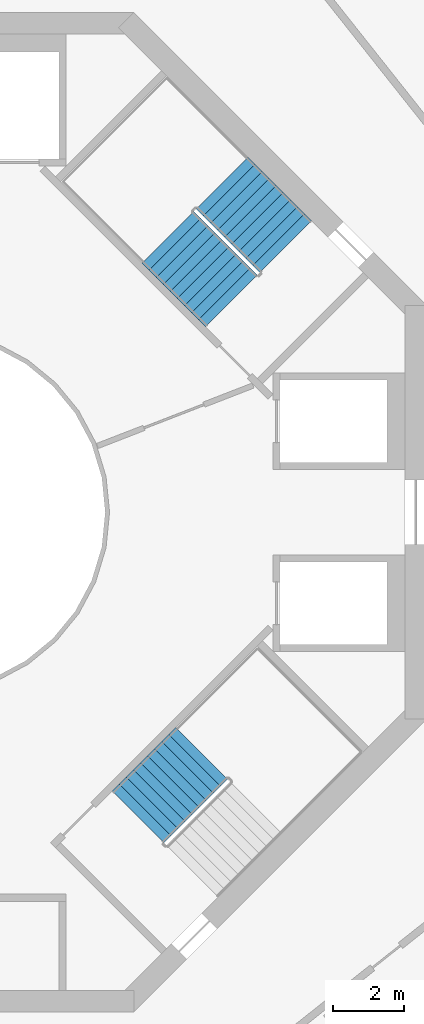
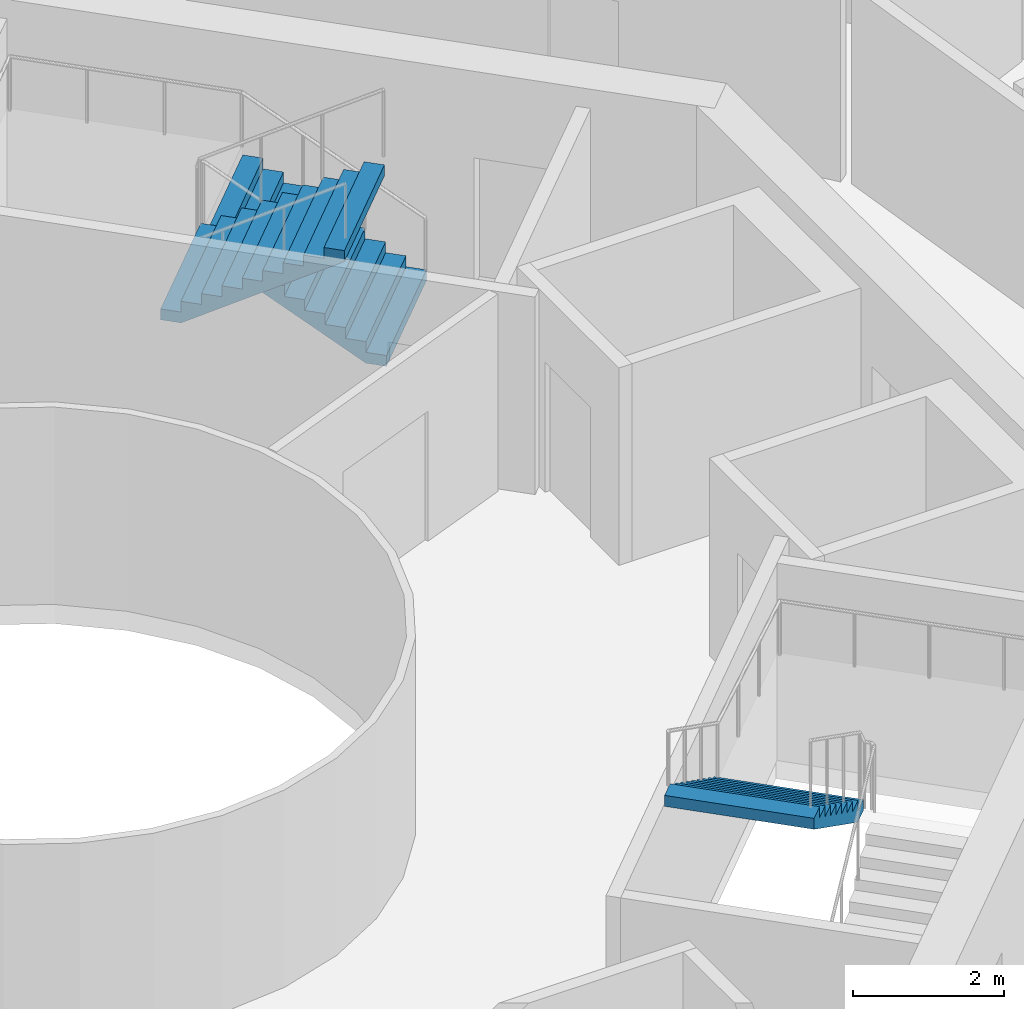
# One storey, part 20 of 21: 3 stair flights, 2 elements without a shape of their own.
"""IFC4 building model written with IfcOpenShell, lengths in metres."""

from ifc_helpers import new_model, si_unit, direction, frame, origin, place, context, subcontext, project, spatial, triangles, material, type_object, element, aggregate, save


model = new_model("IFC4")

# Units and contexts
model_context = context("Model", 3, precision=1e-05, world=origin(), true_north=direction((0.0, 1.0)))
body_context = subcontext(model_context, "Body", "Model", "MODEL_VIEW")
ifc_project = project(units=[si_unit("LENGTHUNIT", "METRE"), si_unit("AREAUNIT", "SQUARE_METRE"), si_unit("VOLUMEUNIT", "CUBIC_METRE"), si_unit("PLANEANGLEUNIT", "RADIAN"), si_unit("MASSUNIT", "GRAM", prefix="KILO")], contexts=[model_context])

# Site, building, storey
site_placement = place(None, origin())
site = spatial("IfcSite", under=ifc_project, at=site_placement, CompositionType="ELEMENT")
building_placement = place(site_placement, origin())
building = spatial("IfcBuilding", under=site, at=building_placement, Name="Verdalira Terraces Hotel", CompositionType="ELEMENT")
storey_placement = place(building_placement, frame((0.0, 0.0, 190.5)))
storey = spatial("IfcBuildingStorey", under=building, at=storey_placement, Name="L46", CompositionType="ELEMENT", Elevation=190.5)

# Stair, stair flights
ifc_material_1 = material(Name="Concrete C40", Category="concrete")
stair_type = type_object("IfcStairType", Name="Core stair 20 risers 2050 mm wide", PredefinedType="HALF_TURN_STAIR", material=ifc_material_1)
stair_1_placement = place(storey_placement, origin())
stair_1 = element("IfcStair", 1, at=stair_1_placement, inside=storey, type_object=stair_type, Name="L46 Exit stair ST1", PredefinedType="HALF_TURN_STAIR")
ifc_material_2 = material(Name="Concrete C40", Category="concrete")
stair_flight_type = type_object("IfcStairFlightType", Name="Core stair flight 20 risers 2050 mm wide", PredefinedType="STRAIGHT", material=ifc_material_2)
stair_flight_1_placement = place(storey_placement, frame((10.058594, 7.442383, 0.0), z_axis=(0.0, 0.0, 1.0), x_axis=(-0.707106781, 0.707106781, 0.0)))
stair_flight_1 = element("IfcStairFlight", 2, at=stair_flight_1_placement, type_object=stair_flight_type, Name="ST1 flight 1", NumberOfRisers=10, NumberOfTreads=9, PredefinedType="STRAIGHT", RiserHeight=0.175, TreadLength=0.28, context=body_context, shape_type="Tessellation", body=[
    triangles([(0.0, 1.025024, 0.0), (0.282715, 1.025024, 0.0), (2.52002, 1.025024, 1.398193), (0.0, -1.025024, 0.0), (0.282715, -1.025024, 0.0), (2.52002, -1.025024, 1.398193), (2.52002, 1.025024, 1.574951), (2.23999, 1.025024, 1.574951), (2.52002, -1.025024, 1.574951), (2.23999, -1.025024, 1.574951), (2.23999, 1.025024, 1.399902), (2.23999, -1.025024, 1.399902), (1.959961, 1.025024, 1.399902), (1.959961, -1.025024, 1.399902), (1.959961, 1.025024, 1.225098), (1.959961, -1.025024, 1.225098), (1.679932, 1.025024, 1.225098), (1.679932, 1.025024, 1.050049), (1.679932, -1.025024, 1.225098), (1.679932, -1.025024, 1.050049), (1.399902, 1.025024, 1.050049), (1.399902, 1.025024, 0.875), (1.399902, -1.025024, 1.050049), (1.399902, -1.025024, 0.875), (1.120117, 1.025024, 0.875), (1.120117, 1.025024, 0.699951), (1.120117, -1.025024, 0.875), (1.120117, -1.025024, 0.699951), (0.840088, 1.025024, 0.699951), (0.840088, 1.025024, 0.524902), (0.840088, -1.025024, 0.699951), (0.840088, -1.025024, 0.524902), (0.560059, 1.025024, 0.524902), (0.560059, 1.025024, 0.350098), (0.560059, -1.025024, 0.524902), (0.560059, -1.025024, 0.350098), (0.280029, 1.025024, 0.350098), (0.280029, 1.025024, 0.175049), (0.280029, -1.025024, 0.350098), (0.280029, -1.025024, 0.175049), (0.0, 1.025024, 0.175049), (0.0, -1.025024, 0.175049), (0.0, -0.96096, 0.0), (0.0, -0.96096, 0.175049), (0.0, -0.896896, 0.0), (0.0, -0.896896, 0.175049), (0.0, -0.832832, 0.0), (0.0, -0.832832, 0.175049), (0.0, -0.768768, 0.0), (0.0, -0.768768, 0.175049), (0.0, -0.704704, 0.0), (0.0, -0.704704, 0.175049), (0.0, -0.64064, 0.0), (0.0, -0.64064, 0.175049), (0.0, -0.576576, 0.0), (0.0, -0.576576, 0.175049), (0.0, -0.512512, 0.0), (0.0, -0.512512, 0.175049), (0.0, -0.448448, 0.0), (0.0, -0.448448, 0.175049), (0.0, -0.384384, 0.0), (0.0, -0.384384, 0.175049), (0.0, -0.32032, 0.0), (0.0, -0.32032, 0.175049), (0.0, -0.256256, 0.0), (0.0, -0.256256, 0.175049), (0.0, -0.192192, 0.0), (0.0, -0.192192, 0.175049), (0.0, -0.128128, 0.0), (0.0, -0.128128, 0.175049), (0.0, -0.064064, 0.0), (0.0, -0.064064, 0.175049), (0.0, 0.0, 0.0), (0.0, 0.0, 0.175049), (0.0, 0.064064, 0.0), (0.0, 0.064064, 0.175049), (0.0, 0.128128, 0.0), (0.0, 0.128128, 0.175049), (0.0, 0.192192, 0.0), (0.0, 0.192192, 0.175049), (0.0, 0.256256, 0.0), (0.0, 0.256256, 0.175049), (0.0, 0.32032, 0.0), (0.0, 0.32032, 0.175049), (0.0, 0.384384, 0.0), (0.0, 0.384384, 0.175049), (0.0, 0.448448, 0.0), (0.0, 0.448448, 0.175049), (0.0, 0.512512, 0.0), (0.0, 0.512512, 0.175049), (0.0, 0.576576, 0.0), (0.0, 0.576576, 0.175049), (0.0, 0.64064, 0.0), (0.0, 0.64064, 0.175049), (0.0, 0.704704, 0.0), (0.0, 0.704704, 0.175049), (0.0, 0.768768, 0.0), (0.0, 0.768768, 0.175049), (0.0, 0.832832, 0.0), (0.0, 0.832832, 0.175049), (0.0, 0.896896, 0.0), (0.0, 0.896896, 0.175049), (0.0, 0.96096, 0.0), (0.0, 0.96096, 0.175049), (2.52002, -0.96096, 1.574951), (2.52002, -0.896896, 1.574951), (2.52002, -0.832832, 1.574951), (2.52002, -0.768768, 1.574951), (2.52002, -0.704704, 1.574951), (2.52002, -0.64064, 1.574951), (2.52002, -0.576576, 1.574951), (2.52002, -0.512512, 1.574951), (2.52002, -0.448448, 1.574951), (2.52002, -0.384384, 1.574951), (2.52002, -0.32032, 1.574951), (2.52002, -0.256256, 1.574951), (2.52002, -0.192192, 1.574951), (2.52002, -0.128128, 1.574951), (2.52002, -0.064064, 1.574951), (2.52002, 0.0, 1.574951), (2.52002, 0.064064, 1.574951), (2.52002, 0.128128, 1.574951), (2.52002, 0.192192, 1.574951), (2.52002, 0.256256, 1.574951), (2.52002, 0.32032, 1.574951), (2.52002, 0.384384, 1.574951), (2.52002, 0.448448, 1.574951), (2.52002, 0.512512, 1.574951), (2.52002, 0.576576, 1.574951), (2.52002, 0.64064, 1.574951), (2.52002, 0.704704, 1.574951), (2.52002, 0.768768, 1.574951), (2.52002, 0.832832, 1.574951), (2.52002, 0.896896, 1.574951), (2.52002, 0.96096, 1.574951), (2.52002, -0.96096, 1.398193), (2.52002, -0.896896, 1.398193), (2.52002, -0.832832, 1.398193), (2.52002, -0.768768, 1.398193), (2.52002, -0.704704, 1.398193), (2.52002, -0.64064, 1.398193), (2.52002, -0.576576, 1.398193), (2.52002, -0.512512, 1.398193), (2.52002, -0.448448, 1.398193), (2.52002, -0.384384, 1.398193), (2.52002, -0.32032, 1.398193), (2.52002, -0.256256, 1.398193), (2.52002, -0.192192, 1.398193), (2.52002, -0.128128, 1.398193), (2.52002, -0.064064, 1.398193), (2.52002, 0.0, 1.398193), (2.52002, 0.064064, 1.398193), (2.52002, 0.128128, 1.398193), (2.52002, 0.192192, 1.398193), (2.52002, 0.256256, 1.398193), (2.52002, 0.32032, 1.398193), (2.52002, 0.384384, 1.398193), (2.52002, 0.448448, 1.398193), (2.52002, 0.512512, 1.398193), (2.52002, 0.576576, 1.398193), (2.52002, 0.64064, 1.398193), (2.52002, 0.704704, 1.398193), (2.52002, 0.768768, 1.398193), (2.52002, 0.832832, 1.398193), (2.52002, 0.896896, 1.398193), (2.52002, 0.96096, 1.398193)], [[1, 3, 2], [4, 5, 6], [3, 8, 7], [6, 9, 10], [3, 11, 8], [6, 10, 12], [3, 13, 11], [6, 12, 14], [3, 15, 13], [6, 14, 16], [15, 18, 17], [16, 19, 20], [3, 18, 15], [6, 16, 20], [18, 22, 21], [20, 23, 24], [3, 22, 18], [6, 20, 24], [22, 26, 25], [24, 27, 28], [3, 26, 22], [6, 24, 28], [26, 30, 29], [28, 31, 32], [3, 30, 26], [6, 28, 32], [1, 30, 3], [4, 6, 32], [30, 34, 33], [32, 35, 36], [34, 38, 37], [36, 39, 40], [30, 38, 34], [32, 36, 40], [1, 38, 30], [4, 32, 40], [38, 1, 41], [40, 42, 4], [4, 44, 43], [4, 42, 44], [43, 46, 45], [43, 44, 46], [45, 48, 47], [45, 46, 48], [47, 50, 49], [47, 48, 50], [49, 52, 51], [49, 50, 52], [51, 54, 53], [51, 52, 54], [53, 56, 55], [53, 54, 56], [55, 58, 57], [55, 56, 58], [57, 60, 59], [57, 58, 60], [59, 62, 61], [59, 60, 62], [61, 64, 63], [61, 62, 64], [63, 66, 65], [63, 64, 66], [65, 68, 67], [65, 66, 68], [67, 70, 69], [67, 68, 70], [69, 72, 71], [69, 70, 72], [71, 74, 73], [71, 72, 74], [73, 76, 75], [73, 74, 76], [75, 78, 77], [75, 76, 78], [77, 80, 79], [77, 78, 80], [79, 82, 81], [79, 80, 82], [81, 84, 83], [81, 82, 84], [83, 86, 85], [83, 84, 86], [85, 88, 87], [85, 86, 88], [87, 90, 89], [87, 88, 90], [89, 92, 91], [89, 90, 92], [91, 94, 93], [91, 92, 94], [93, 96, 95], [93, 94, 96], [95, 98, 97], [95, 96, 98], [97, 100, 99], [97, 98, 100], [99, 102, 101], [99, 100, 102], [101, 104, 103], [101, 102, 104], [103, 41, 1], [103, 104, 41], [42, 40, 44], [44, 40, 46], [46, 40, 48], [48, 40, 50], [50, 40, 52], [52, 40, 54], [54, 40, 56], [56, 40, 58], [58, 40, 60], [60, 40, 62], [62, 40, 64], [64, 40, 66], [66, 40, 68], [68, 40, 70], [70, 40, 72], [72, 40, 74], [74, 40, 76], [76, 40, 78], [78, 40, 80], [80, 40, 82], [82, 40, 84], [84, 40, 86], [86, 40, 88], [88, 40, 90], [90, 40, 92], [92, 40, 94], [94, 40, 96], [96, 40, 98], [98, 40, 100], [100, 40, 102], [102, 40, 104], [104, 40, 41], [41, 40, 38], [40, 37, 38], [40, 39, 37], [39, 34, 37], [39, 36, 34], [36, 33, 34], [36, 35, 33], [35, 30, 33], [35, 32, 30], [32, 29, 30], [32, 31, 29], [31, 26, 29], [31, 28, 26], [28, 25, 26], [28, 27, 25], [27, 22, 25], [27, 24, 22], [24, 21, 22], [24, 23, 21], [23, 18, 21], [23, 20, 18], [20, 17, 18], [20, 19, 17], [19, 15, 17], [19, 16, 15], [16, 13, 15], [16, 14, 13], [14, 11, 13], [14, 12, 11], [12, 8, 11], [12, 10, 8], [9, 105, 10], [105, 106, 10], [106, 107, 10], [107, 108, 10], [108, 109, 10], [109, 110, 10], [110, 111, 10], [111, 112, 10], [112, 113, 10], [113, 114, 10], [114, 115, 10], [115, 116, 10], [116, 117, 10], [117, 118, 10], [118, 119, 10], [119, 120, 10], [120, 121, 10], [121, 122, 10], [122, 123, 10], [123, 124, 10], [124, 125, 10], [125, 126, 10], [126, 127, 10], [127, 128, 10], [128, 129, 10], [129, 130, 10], [130, 131, 10], [131, 132, 10], [132, 133, 10], [133, 134, 10], [134, 135, 10], [135, 7, 10], [7, 8, 10], [9, 136, 105], [9, 6, 136], [105, 137, 106], [105, 136, 137], [106, 138, 107], [106, 137, 138], [107, 139, 108], [107, 138, 139], [108, 140, 109], [108, 139, 140], [109, 141, 110], [109, 140, 141], [110, 142, 111], [110, 141, 142], [111, 143, 112], [111, 142, 143], [112, 144, 113], [112, 143, 144], [113, 145, 114], [113, 144, 145], [114, 146, 115], [114, 145, 146], [115, 147, 116], [115, 146, 147], [116, 148, 117], [116, 147, 148], [117, 149, 118], [117, 148, 149], [118, 150, 119], [118, 149, 150], [119, 151, 120], [119, 150, 151], [120, 152, 121], [120, 151, 152], [121, 153, 122], [121, 152, 153], [122, 154, 123], [122, 153, 154], [123, 155, 124], [123, 154, 155], [124, 156, 125], [124, 155, 156], [125, 157, 126], [125, 156, 157], [126, 158, 127], [126, 157, 158], [127, 159, 128], [127, 158, 159], [128, 160, 129], [128, 159, 160], [129, 161, 130], [129, 160, 161], [130, 162, 131], [130, 161, 162], [131, 163, 132], [131, 162, 163], [132, 164, 133], [132, 163, 164], [133, 165, 134], [133, 164, 165], [134, 166, 135], [134, 165, 166], [135, 3, 7], [135, 166, 3], [6, 5, 136], [136, 5, 137], [137, 5, 138], [138, 5, 139], [139, 5, 140], [140, 5, 141], [141, 5, 142], [142, 5, 143], [143, 5, 144], [144, 5, 145], [145, 5, 146], [146, 5, 147], [147, 5, 148], [148, 5, 149], [149, 5, 150], [150, 5, 151], [151, 5, 152], [152, 5, 153], [153, 5, 154], [154, 5, 155], [155, 5, 156], [156, 5, 157], [157, 5, 158], [158, 5, 159], [159, 5, 160], [160, 5, 161], [161, 5, 162], [162, 5, 163], [163, 5, 164], [164, 5, 165], [165, 5, 166], [166, 5, 3], [3, 5, 2], [4, 43, 5], [43, 45, 5], [45, 47, 5], [47, 49, 5], [49, 51, 5], [51, 53, 5], [53, 55, 5], [55, 57, 5], [57, 59, 5], [59, 61, 5], [61, 63, 5], [63, 65, 5], [65, 67, 5], [67, 69, 5], [69, 71, 5], [71, 73, 5], [73, 75, 5], [75, 77, 5], [77, 79, 5], [79, 81, 5], [81, 83, 5], [83, 85, 5], [85, 87, 5], [87, 89, 5], [89, 91, 5], [91, 93, 5], [93, 95, 5], [95, 97, 5], [97, 99, 5], [99, 101, 5], [101, 103, 5], [103, 1, 5], [1, 2, 5]], closed=True),
])
stair_flight_2_placement = place(storey_placement, frame((6.756348, 7.703857, 1.75), z_axis=(0.0, 0.0, 1.0), x_axis=(0.707106781, -0.707106781, 0.0)))
stair_flight_2 = element("IfcStairFlight", 3, at=stair_flight_2_placement, type_object=stair_flight_type, Name="ST1 flight 2", NumberOfRisers=10, NumberOfTreads=9, PredefinedType="STRAIGHT", RiserHeight=0.175, TreadLength=0.28, context=body_context, shape_type="Tessellation", body=[
    triangles([(0.0, 1.025024, 0.0), (0.282715, 1.025024, 0.0), (2.52002, 1.025024, 1.398193), (0.0, -1.025024, 0.0), (0.282715, -1.025024, 0.0), (2.52002, -1.025024, 1.398193), (2.52002, 1.025024, 1.574951), (2.23999, 1.025024, 1.574951), (2.52002, -1.025024, 1.574951), (2.23999, -1.025024, 1.574951), (2.23999, 1.025024, 1.399902), (2.23999, -1.025024, 1.399902), (1.959961, 1.025024, 1.399902), (1.959961, -1.025024, 1.399902), (1.959961, 1.025024, 1.225098), (1.959961, -1.025024, 1.225098), (1.679932, 1.025024, 1.225098), (1.679932, 1.025024, 1.050049), (1.679932, -1.025024, 1.225098), (1.679932, -1.025024, 1.050049), (1.399902, 1.025024, 1.050049), (1.399902, 1.025024, 0.875), (1.399902, -1.025024, 1.050049), (1.399902, -1.025024, 0.875), (1.120117, 1.025024, 0.875), (1.120117, 1.025024, 0.699951), (1.120117, -1.025024, 0.875), (1.120117, -1.025024, 0.699951), (0.840088, 1.025024, 0.699951), (0.840088, 1.025024, 0.524902), (0.840088, -1.025024, 0.699951), (0.840088, -1.025024, 0.524902), (0.560059, 1.025024, 0.524902), (0.560059, 1.025024, 0.350098), (0.560059, -1.025024, 0.524902), (0.560059, -1.025024, 0.350098), (0.280029, 1.025024, 0.350098), (0.280029, 1.025024, 0.175049), (0.280029, -1.025024, 0.350098), (0.280029, -1.025024, 0.175049), (0.0, 1.025024, 0.175049), (0.0, -1.025024, 0.175049), (0.0, -0.96096, 0.0), (0.0, -0.96096, 0.175049), (0.0, -0.896896, 0.0), (0.0, -0.896896, 0.175049), (0.0, -0.832832, 0.0), (0.0, -0.832832, 0.175049), (0.0, -0.768768, 0.0), (0.0, -0.768768, 0.175049), (0.0, -0.704704, 0.0), (0.0, -0.704704, 0.175049), (0.0, -0.64064, 0.0), (0.0, -0.64064, 0.175049), (0.0, -0.576576, 0.0), (0.0, -0.576576, 0.175049), (0.0, -0.512512, 0.0), (0.0, -0.512512, 0.175049), (0.0, -0.448448, 0.0), (0.0, -0.448448, 0.175049), (0.0, -0.384384, 0.0), (0.0, -0.384384, 0.175049), (0.0, -0.32032, 0.0), (0.0, -0.32032, 0.175049), (0.0, -0.256256, 0.0), (0.0, -0.256256, 0.175049), (0.0, -0.192192, 0.0), (0.0, -0.192192, 0.175049), (0.0, -0.128128, 0.0), (0.0, -0.128128, 0.175049), (0.0, -0.064064, 0.0), (0.0, -0.064064, 0.175049), (0.0, 0.0, 0.0), (0.0, 0.0, 0.175049), (0.0, 0.064064, 0.0), (0.0, 0.064064, 0.175049), (0.0, 0.128128, 0.0), (0.0, 0.128128, 0.175049), (0.0, 0.192192, 0.0), (0.0, 0.192192, 0.175049), (0.0, 0.256256, 0.0), (0.0, 0.256256, 0.175049), (0.0, 0.32032, 0.0), (0.0, 0.32032, 0.175049), (0.0, 0.384384, 0.0), (0.0, 0.384384, 0.175049), (0.0, 0.448448, 0.0), (0.0, 0.448448, 0.175049), (0.0, 0.512512, 0.0), (0.0, 0.512512, 0.175049), (0.0, 0.576576, 0.0), (0.0, 0.576576, 0.175049), (0.0, 0.64064, 0.0), (0.0, 0.64064, 0.175049), (0.0, 0.704704, 0.0), (0.0, 0.704704, 0.175049), (0.0, 0.768768, 0.0), (0.0, 0.768768, 0.175049), (0.0, 0.832832, 0.0), (0.0, 0.832832, 0.175049), (0.0, 0.896896, 0.0), (0.0, 0.896896, 0.175049), (0.0, 0.96096, 0.0), (0.0, 0.96096, 0.175049), (2.52002, -0.96096, 1.574951), (2.52002, -0.896896, 1.574951), (2.52002, -0.832832, 1.574951), (2.52002, -0.768768, 1.574951), (2.52002, -0.704704, 1.574951), (2.52002, -0.64064, 1.574951), (2.52002, -0.576576, 1.574951), (2.52002, -0.512512, 1.574951), (2.52002, -0.448448, 1.574951), (2.52002, -0.384384, 1.574951), (2.52002, -0.32032, 1.574951), (2.52002, -0.256256, 1.574951), (2.52002, -0.192192, 1.574951), (2.52002, -0.128128, 1.574951), (2.52002, -0.064064, 1.574951), (2.52002, 0.0, 1.574951), (2.52002, 0.064064, 1.574951), (2.52002, 0.128128, 1.574951), (2.52002, 0.192192, 1.574951), (2.52002, 0.256256, 1.574951), (2.52002, 0.32032, 1.574951), (2.52002, 0.384384, 1.574951), (2.52002, 0.448448, 1.574951), (2.52002, 0.512512, 1.574951), (2.52002, 0.576576, 1.574951), (2.52002, 0.64064, 1.574951), (2.52002, 0.704704, 1.574951), (2.52002, 0.768768, 1.574951), (2.52002, 0.832832, 1.574951), (2.52002, 0.896896, 1.574951), (2.52002, 0.96096, 1.574951), (2.52002, -0.96096, 1.398193), (2.52002, -0.896896, 1.398193), (2.52002, -0.832832, 1.398193), (2.52002, -0.768768, 1.398193), (2.52002, -0.704704, 1.398193), (2.52002, -0.64064, 1.398193), (2.52002, -0.576576, 1.398193), (2.52002, -0.512512, 1.398193), (2.52002, -0.448448, 1.398193), (2.52002, -0.384384, 1.398193), (2.52002, -0.32032, 1.398193), (2.52002, -0.256256, 1.398193), (2.52002, -0.192192, 1.398193), (2.52002, -0.128128, 1.398193), (2.52002, -0.064064, 1.398193), (2.52002, 0.0, 1.398193), (2.52002, 0.064064, 1.398193), (2.52002, 0.128128, 1.398193), (2.52002, 0.192192, 1.398193), (2.52002, 0.256256, 1.398193), (2.52002, 0.32032, 1.398193), (2.52002, 0.384384, 1.398193), (2.52002, 0.448448, 1.398193), (2.52002, 0.512512, 1.398193), (2.52002, 0.576576, 1.398193), (2.52002, 0.64064, 1.398193), (2.52002, 0.704704, 1.398193), (2.52002, 0.768768, 1.398193), (2.52002, 0.832832, 1.398193), (2.52002, 0.896896, 1.398193), (2.52002, 0.96096, 1.398193)], [[1, 3, 2], [4, 5, 6], [3, 8, 7], [6, 9, 10], [3, 11, 8], [6, 10, 12], [3, 13, 11], [6, 12, 14], [3, 15, 13], [6, 14, 16], [15, 18, 17], [16, 19, 20], [3, 18, 15], [6, 16, 20], [18, 22, 21], [20, 23, 24], [3, 22, 18], [6, 20, 24], [22, 26, 25], [24, 27, 28], [3, 26, 22], [6, 24, 28], [26, 30, 29], [28, 31, 32], [3, 30, 26], [6, 28, 32], [1, 30, 3], [4, 6, 32], [30, 34, 33], [32, 35, 36], [34, 38, 37], [36, 39, 40], [30, 38, 34], [32, 36, 40], [1, 38, 30], [4, 32, 40], [38, 1, 41], [40, 42, 4], [4, 44, 43], [4, 42, 44], [43, 46, 45], [43, 44, 46], [45, 48, 47], [45, 46, 48], [47, 50, 49], [47, 48, 50], [49, 52, 51], [49, 50, 52], [51, 54, 53], [51, 52, 54], [53, 56, 55], [53, 54, 56], [55, 58, 57], [55, 56, 58], [57, 60, 59], [57, 58, 60], [59, 62, 61], [59, 60, 62], [61, 64, 63], [61, 62, 64], [63, 66, 65], [63, 64, 66], [65, 68, 67], [65, 66, 68], [67, 70, 69], [67, 68, 70], [69, 72, 71], [69, 70, 72], [71, 74, 73], [71, 72, 74], [73, 76, 75], [73, 74, 76], [75, 78, 77], [75, 76, 78], [77, 80, 79], [77, 78, 80], [79, 82, 81], [79, 80, 82], [81, 84, 83], [81, 82, 84], [83, 86, 85], [83, 84, 86], [85, 88, 87], [85, 86, 88], [87, 90, 89], [87, 88, 90], [89, 92, 91], [89, 90, 92], [91, 94, 93], [91, 92, 94], [93, 96, 95], [93, 94, 96], [95, 98, 97], [95, 96, 98], [97, 100, 99], [97, 98, 100], [99, 102, 101], [99, 100, 102], [101, 104, 103], [101, 102, 104], [103, 41, 1], [103, 104, 41], [42, 40, 44], [44, 40, 46], [46, 40, 48], [48, 40, 50], [50, 40, 52], [52, 40, 54], [54, 40, 56], [56, 40, 58], [58, 40, 60], [60, 40, 62], [62, 40, 64], [64, 40, 66], [66, 40, 68], [68, 40, 70], [70, 40, 72], [72, 40, 74], [74, 40, 76], [76, 40, 78], [78, 40, 80], [80, 40, 82], [82, 40, 84], [84, 40, 86], [86, 40, 88], [88, 40, 90], [90, 40, 92], [92, 40, 94], [94, 40, 96], [96, 40, 98], [98, 40, 100], [100, 40, 102], [102, 40, 104], [104, 40, 41], [41, 40, 38], [40, 37, 38], [40, 39, 37], [39, 34, 37], [39, 36, 34], [36, 33, 34], [36, 35, 33], [35, 30, 33], [35, 32, 30], [32, 29, 30], [32, 31, 29], [31, 26, 29], [31, 28, 26], [28, 25, 26], [28, 27, 25], [27, 22, 25], [27, 24, 22], [24, 21, 22], [24, 23, 21], [23, 18, 21], [23, 20, 18], [20, 17, 18], [20, 19, 17], [19, 15, 17], [19, 16, 15], [16, 13, 15], [16, 14, 13], [14, 11, 13], [14, 12, 11], [12, 8, 11], [12, 10, 8], [9, 105, 10], [105, 106, 10], [106, 107, 10], [107, 108, 10], [108, 109, 10], [109, 110, 10], [110, 111, 10], [111, 112, 10], [112, 113, 10], [113, 114, 10], [114, 115, 10], [115, 116, 10], [116, 117, 10], [117, 118, 10], [118, 119, 10], [119, 120, 10], [120, 121, 10], [121, 122, 10], [122, 123, 10], [123, 124, 10], [124, 125, 10], [125, 126, 10], [126, 127, 10], [127, 128, 10], [128, 129, 10], [129, 130, 10], [130, 131, 10], [131, 132, 10], [132, 133, 10], [133, 134, 10], [134, 135, 10], [135, 7, 10], [7, 8, 10], [9, 136, 105], [9, 6, 136], [105, 137, 106], [105, 136, 137], [106, 138, 107], [106, 137, 138], [107, 139, 108], [107, 138, 139], [108, 140, 109], [108, 139, 140], [109, 141, 110], [109, 140, 141], [110, 142, 111], [110, 141, 142], [111, 143, 112], [111, 142, 143], [112, 144, 113], [112, 143, 144], [113, 145, 114], [113, 144, 145], [114, 146, 115], [114, 145, 146], [115, 147, 116], [115, 146, 147], [116, 148, 117], [116, 147, 148], [117, 149, 118], [117, 148, 149], [118, 150, 119], [118, 149, 150], [119, 151, 120], [119, 150, 151], [120, 152, 121], [120, 151, 152], [121, 153, 122], [121, 152, 153], [122, 154, 123], [122, 153, 154], [123, 155, 124], [123, 154, 155], [124, 156, 125], [124, 155, 156], [125, 157, 126], [125, 156, 157], [126, 158, 127], [126, 157, 158], [127, 159, 128], [127, 158, 159], [128, 160, 129], [128, 159, 160], [129, 161, 130], [129, 160, 161], [130, 162, 131], [130, 161, 162], [131, 163, 132], [131, 162, 163], [132, 164, 133], [132, 163, 164], [133, 165, 134], [133, 164, 165], [134, 166, 135], [134, 165, 166], [135, 3, 7], [135, 166, 3], [6, 5, 136], [136, 5, 137], [137, 5, 138], [138, 5, 139], [139, 5, 140], [140, 5, 141], [141, 5, 142], [142, 5, 143], [143, 5, 144], [144, 5, 145], [145, 5, 146], [146, 5, 147], [147, 5, 148], [148, 5, 149], [149, 5, 150], [150, 5, 151], [151, 5, 152], [152, 5, 153], [153, 5, 154], [154, 5, 155], [155, 5, 156], [156, 5, 157], [157, 5, 158], [158, 5, 159], [159, 5, 160], [160, 5, 161], [161, 5, 162], [162, 5, 163], [163, 5, 164], [164, 5, 165], [165, 5, 166], [166, 5, 3], [3, 5, 2], [4, 43, 5], [43, 45, 5], [45, 47, 5], [47, 49, 5], [49, 51, 5], [51, 53, 5], [53, 55, 5], [55, 57, 5], [57, 59, 5], [59, 61, 5], [61, 63, 5], [63, 65, 5], [65, 67, 5], [67, 69, 5], [69, 71, 5], [71, 73, 5], [73, 75, 5], [75, 77, 5], [77, 79, 5], [79, 81, 5], [81, 83, 5], [83, 85, 5], [85, 87, 5], [87, 89, 5], [89, 91, 5], [91, 93, 5], [93, 95, 5], [95, 97, 5], [97, 99, 5], [99, 101, 5], [101, 103, 5], [103, 1, 5], [1, 2, 5]], closed=True),
])
aggregate(stair_1, [stair_flight_1, stair_flight_2])

# Stair, stair flight
stair_2_placement = place(storey_placement, origin())
stair_2 = element("IfcStair", 4, at=stair_2_placement, inside=storey, type_object=stair_type, Name="L46 Exit stair ST3", PredefinedType="HALF_TURN_STAIR")
stair_flight_3_placement = place(storey_placement, frame((7.703857, -6.756348, 1.75), z_axis=(0.0, 0.0, 1.0), x_axis=(-0.707106781, -0.707106781, 0.0)))
stair_flight_3 = element("IfcStairFlight", 5, at=stair_flight_3_placement, type_object=stair_flight_type, Name="ST3 flight 2", NumberOfRisers=10, NumberOfTreads=9, PredefinedType="STRAIGHT", RiserHeight=0.175, TreadLength=0.28, context=body_context, shape_type="Tessellation", body=[
    triangles([(0.0, 1.025024, 0.0), (0.282715, 1.025024, 0.0), (2.52002, 1.025024, 1.398193), (0.0, -1.025024, 0.0), (0.282715, -1.025024, 0.0), (2.52002, -1.025024, 1.398193), (2.52002, 1.025024, 1.574951), (2.23999, 1.025024, 1.574951), (2.52002, -1.025024, 1.574951), (2.23999, -1.025024, 1.574951), (2.23999, 1.025024, 1.399902), (2.23999, -1.025024, 1.399902), (1.959961, 1.025024, 1.399902), (1.959961, -1.025024, 1.399902), (1.959961, 1.025024, 1.225098), (1.959961, -1.025024, 1.225098), (1.679932, 1.025024, 1.225098), (1.679932, 1.025024, 1.050049), (1.679932, -1.025024, 1.225098), (1.679932, -1.025024, 1.050049), (1.399902, 1.025024, 1.050049), (1.399902, 1.025024, 0.875), (1.399902, -1.025024, 1.050049), (1.399902, -1.025024, 0.875), (1.120117, 1.025024, 0.875), (1.120117, 1.025024, 0.699951), (1.120117, -1.025024, 0.875), (1.120117, -1.025024, 0.699951), (0.840088, 1.025024, 0.699951), (0.840088, 1.025024, 0.524902), (0.840088, -1.025024, 0.699951), (0.840088, -1.025024, 0.524902), (0.560059, 1.025024, 0.524902), (0.560059, 1.025024, 0.350098), (0.560059, -1.025024, 0.524902), (0.560059, -1.025024, 0.350098), (0.280029, 1.025024, 0.350098), (0.280029, 1.025024, 0.175049), (0.280029, -1.025024, 0.350098), (0.280029, -1.025024, 0.175049), (0.0, 1.025024, 0.175049), (0.0, -1.025024, 0.175049), (0.0, -0.96096, 0.0), (0.0, -0.96096, 0.175049), (0.0, -0.896896, 0.0), (0.0, -0.896896, 0.175049), (0.0, -0.832832, 0.0), (0.0, -0.832832, 0.175049), (0.0, -0.768768, 0.0), (0.0, -0.768768, 0.175049), (0.0, -0.704704, 0.0), (0.0, -0.704704, 0.175049), (0.0, -0.64064, 0.0), (0.0, -0.64064, 0.175049), (0.0, -0.576576, 0.0), (0.0, -0.576576, 0.175049), (0.0, -0.512512, 0.0), (0.0, -0.512512, 0.175049), (0.0, -0.448448, 0.0), (0.0, -0.448448, 0.175049), (0.0, -0.384384, 0.0), (0.0, -0.384384, 0.175049), (0.0, -0.32032, 0.0), (0.0, -0.32032, 0.175049), (0.0, -0.256256, 0.0), (0.0, -0.256256, 0.175049), (0.0, -0.192192, 0.0), (0.0, -0.192192, 0.175049), (0.0, -0.128128, 0.0), (0.0, -0.128128, 0.175049), (0.0, -0.064064, 0.0), (0.0, -0.064064, 0.175049), (0.0, 0.0, 0.0), (0.0, 0.0, 0.175049), (0.0, 0.064064, 0.0), (0.0, 0.064064, 0.175049), (0.0, 0.128128, 0.0), (0.0, 0.128128, 0.175049), (0.0, 0.192192, 0.0), (0.0, 0.192192, 0.175049), (0.0, 0.256256, 0.0), (0.0, 0.256256, 0.175049), (0.0, 0.32032, 0.0), (0.0, 0.32032, 0.175049), (0.0, 0.384384, 0.0), (0.0, 0.384384, 0.175049), (0.0, 0.448448, 0.0), (0.0, 0.448448, 0.175049), (0.0, 0.512512, 0.0), (0.0, 0.512512, 0.175049), (0.0, 0.576576, 0.0), (0.0, 0.576576, 0.175049), (0.0, 0.64064, 0.0), (0.0, 0.64064, 0.175049), (0.0, 0.704704, 0.0), (0.0, 0.704704, 0.175049), (0.0, 0.768768, 0.0), (0.0, 0.768768, 0.175049), (0.0, 0.832832, 0.0), (0.0, 0.832832, 0.175049), (0.0, 0.896896, 0.0), (0.0, 0.896896, 0.175049), (0.0, 0.96096, 0.0), (0.0, 0.96096, 0.175049), (2.52002, -0.96096, 1.574951), (2.52002, -0.896896, 1.574951), (2.52002, -0.832832, 1.574951), (2.52002, -0.768768, 1.574951), (2.52002, -0.704704, 1.574951), (2.52002, -0.64064, 1.574951), (2.52002, -0.576576, 1.574951), (2.52002, -0.512512, 1.574951), (2.52002, -0.448448, 1.574951), (2.52002, -0.384384, 1.574951), (2.52002, -0.32032, 1.574951), (2.52002, -0.256256, 1.574951), (2.52002, -0.192192, 1.574951), (2.52002, -0.128128, 1.574951), (2.52002, -0.064064, 1.574951), (2.52002, 0.0, 1.574951), (2.52002, 0.064064, 1.574951), (2.52002, 0.128128, 1.574951), (2.52002, 0.192192, 1.574951), (2.52002, 0.256256, 1.574951), (2.52002, 0.32032, 1.574951), (2.52002, 0.384384, 1.574951), (2.52002, 0.448448, 1.574951), (2.52002, 0.512512, 1.574951), (2.52002, 0.576576, 1.574951), (2.52002, 0.64064, 1.574951), (2.52002, 0.704704, 1.574951), (2.52002, 0.768768, 1.574951), (2.52002, 0.832832, 1.574951), (2.52002, 0.896896, 1.574951), (2.52002, 0.96096, 1.574951), (2.52002, -0.96096, 1.398193), (2.52002, -0.896896, 1.398193), (2.52002, -0.832832, 1.398193), (2.52002, -0.768768, 1.398193), (2.52002, -0.704704, 1.398193), (2.52002, -0.64064, 1.398193), (2.52002, -0.576576, 1.398193), (2.52002, -0.512512, 1.398193), (2.52002, -0.448448, 1.398193), (2.52002, -0.384384, 1.398193), (2.52002, -0.32032, 1.398193), (2.52002, -0.256256, 1.398193), (2.52002, -0.192192, 1.398193), (2.52002, -0.128128, 1.398193), (2.52002, -0.064064, 1.398193), (2.52002, 0.0, 1.398193), (2.52002, 0.064064, 1.398193), (2.52002, 0.128128, 1.398193), (2.52002, 0.192192, 1.398193), (2.52002, 0.256256, 1.398193), (2.52002, 0.32032, 1.398193), (2.52002, 0.384384, 1.398193), (2.52002, 0.448448, 1.398193), (2.52002, 0.512512, 1.398193), (2.52002, 0.576576, 1.398193), (2.52002, 0.64064, 1.398193), (2.52002, 0.704704, 1.398193), (2.52002, 0.768768, 1.398193), (2.52002, 0.832832, 1.398193), (2.52002, 0.896896, 1.398193), (2.52002, 0.96096, 1.398193)], [[1, 3, 2], [4, 5, 6], [3, 8, 7], [6, 9, 10], [3, 11, 8], [6, 10, 12], [3, 13, 11], [6, 12, 14], [3, 15, 13], [6, 14, 16], [15, 18, 17], [16, 19, 20], [3, 18, 15], [6, 16, 20], [18, 22, 21], [20, 23, 24], [3, 22, 18], [6, 20, 24], [22, 26, 25], [24, 27, 28], [3, 26, 22], [6, 24, 28], [26, 30, 29], [28, 31, 32], [3, 30, 26], [6, 28, 32], [1, 30, 3], [4, 6, 32], [30, 34, 33], [32, 35, 36], [34, 38, 37], [36, 39, 40], [30, 38, 34], [32, 36, 40], [1, 38, 30], [4, 32, 40], [38, 1, 41], [40, 42, 4], [4, 44, 43], [4, 42, 44], [43, 46, 45], [43, 44, 46], [45, 48, 47], [45, 46, 48], [47, 50, 49], [47, 48, 50], [49, 52, 51], [49, 50, 52], [51, 54, 53], [51, 52, 54], [53, 56, 55], [53, 54, 56], [55, 58, 57], [55, 56, 58], [57, 60, 59], [57, 58, 60], [59, 62, 61], [59, 60, 62], [61, 64, 63], [61, 62, 64], [63, 66, 65], [63, 64, 66], [65, 68, 67], [65, 66, 68], [67, 70, 69], [67, 68, 70], [69, 72, 71], [69, 70, 72], [71, 74, 73], [71, 72, 74], [73, 76, 75], [73, 74, 76], [75, 78, 77], [75, 76, 78], [77, 80, 79], [77, 78, 80], [79, 82, 81], [79, 80, 82], [81, 84, 83], [81, 82, 84], [83, 86, 85], [83, 84, 86], [85, 88, 87], [85, 86, 88], [87, 90, 89], [87, 88, 90], [89, 92, 91], [89, 90, 92], [91, 94, 93], [91, 92, 94], [93, 96, 95], [93, 94, 96], [95, 98, 97], [95, 96, 98], [97, 100, 99], [97, 98, 100], [99, 102, 101], [99, 100, 102], [101, 104, 103], [101, 102, 104], [103, 41, 1], [103, 104, 41], [42, 40, 44], [44, 40, 46], [46, 40, 48], [48, 40, 50], [50, 40, 52], [52, 40, 54], [54, 40, 56], [56, 40, 58], [58, 40, 60], [60, 40, 62], [62, 40, 64], [64, 40, 66], [66, 40, 68], [68, 40, 70], [70, 40, 72], [72, 40, 74], [74, 40, 76], [76, 40, 78], [78, 40, 80], [80, 40, 82], [82, 40, 84], [84, 40, 86], [86, 40, 88], [88, 40, 90], [90, 40, 92], [92, 40, 94], [94, 40, 96], [96, 40, 98], [98, 40, 100], [100, 40, 102], [102, 40, 104], [104, 40, 41], [41, 40, 38], [40, 37, 38], [40, 39, 37], [39, 34, 37], [39, 36, 34], [36, 33, 34], [36, 35, 33], [35, 30, 33], [35, 32, 30], [32, 29, 30], [32, 31, 29], [31, 26, 29], [31, 28, 26], [28, 25, 26], [28, 27, 25], [27, 22, 25], [27, 24, 22], [24, 21, 22], [24, 23, 21], [23, 18, 21], [23, 20, 18], [20, 17, 18], [20, 19, 17], [19, 15, 17], [19, 16, 15], [16, 13, 15], [16, 14, 13], [14, 11, 13], [14, 12, 11], [12, 8, 11], [12, 10, 8], [9, 105, 10], [105, 106, 10], [106, 107, 10], [107, 108, 10], [108, 109, 10], [109, 110, 10], [110, 111, 10], [111, 112, 10], [112, 113, 10], [113, 114, 10], [114, 115, 10], [115, 116, 10], [116, 117, 10], [117, 118, 10], [118, 119, 10], [119, 120, 10], [120, 121, 10], [121, 122, 10], [122, 123, 10], [123, 124, 10], [124, 125, 10], [125, 126, 10], [126, 127, 10], [127, 128, 10], [128, 129, 10], [129, 130, 10], [130, 131, 10], [131, 132, 10], [132, 133, 10], [133, 134, 10], [134, 135, 10], [135, 7, 10], [7, 8, 10], [9, 136, 105], [9, 6, 136], [105, 137, 106], [105, 136, 137], [106, 138, 107], [106, 137, 138], [107, 139, 108], [107, 138, 139], [108, 140, 109], [108, 139, 140], [109, 141, 110], [109, 140, 141], [110, 142, 111], [110, 141, 142], [111, 143, 112], [111, 142, 143], [112, 144, 113], [112, 143, 144], [113, 145, 114], [113, 144, 145], [114, 146, 115], [114, 145, 146], [115, 147, 116], [115, 146, 147], [116, 148, 117], [116, 147, 148], [117, 149, 118], [117, 148, 149], [118, 150, 119], [118, 149, 150], [119, 151, 120], [119, 150, 151], [120, 152, 121], [120, 151, 152], [121, 153, 122], [121, 152, 153], [122, 154, 123], [122, 153, 154], [123, 155, 124], [123, 154, 155], [124, 156, 125], [124, 155, 156], [125, 157, 126], [125, 156, 157], [126, 158, 127], [126, 157, 158], [127, 159, 128], [127, 158, 159], [128, 160, 129], [128, 159, 160], [129, 161, 130], [129, 160, 161], [130, 162, 131], [130, 161, 162], [131, 163, 132], [131, 162, 163], [132, 164, 133], [132, 163, 164], [133, 165, 134], [133, 164, 165], [134, 166, 135], [134, 165, 166], [135, 3, 7], [135, 166, 3], [6, 5, 136], [136, 5, 137], [137, 5, 138], [138, 5, 139], [139, 5, 140], [140, 5, 141], [141, 5, 142], [142, 5, 143], [143, 5, 144], [144, 5, 145], [145, 5, 146], [146, 5, 147], [147, 5, 148], [148, 5, 149], [149, 5, 150], [150, 5, 151], [151, 5, 152], [152, 5, 153], [153, 5, 154], [154, 5, 155], [155, 5, 156], [156, 5, 157], [157, 5, 158], [158, 5, 159], [159, 5, 160], [160, 5, 161], [161, 5, 162], [162, 5, 163], [163, 5, 164], [164, 5, 165], [165, 5, 166], [166, 5, 3], [3, 5, 2], [4, 43, 5], [43, 45, 5], [45, 47, 5], [47, 49, 5], [49, 51, 5], [51, 53, 5], [53, 55, 5], [55, 57, 5], [57, 59, 5], [59, 61, 5], [61, 63, 5], [63, 65, 5], [65, 67, 5], [67, 69, 5], [69, 71, 5], [71, 73, 5], [73, 75, 5], [75, 77, 5], [77, 79, 5], [79, 81, 5], [81, 83, 5], [83, 85, 5], [85, 87, 5], [87, 89, 5], [89, 91, 5], [91, 93, 5], [93, 95, 5], [95, 97, 5], [97, 99, 5], [99, 101, 5], [101, 103, 5], [103, 1, 5], [1, 2, 5]], closed=True),
])
aggregate(stair_2, [stair_flight_3])

save(model, "model.ifc")
